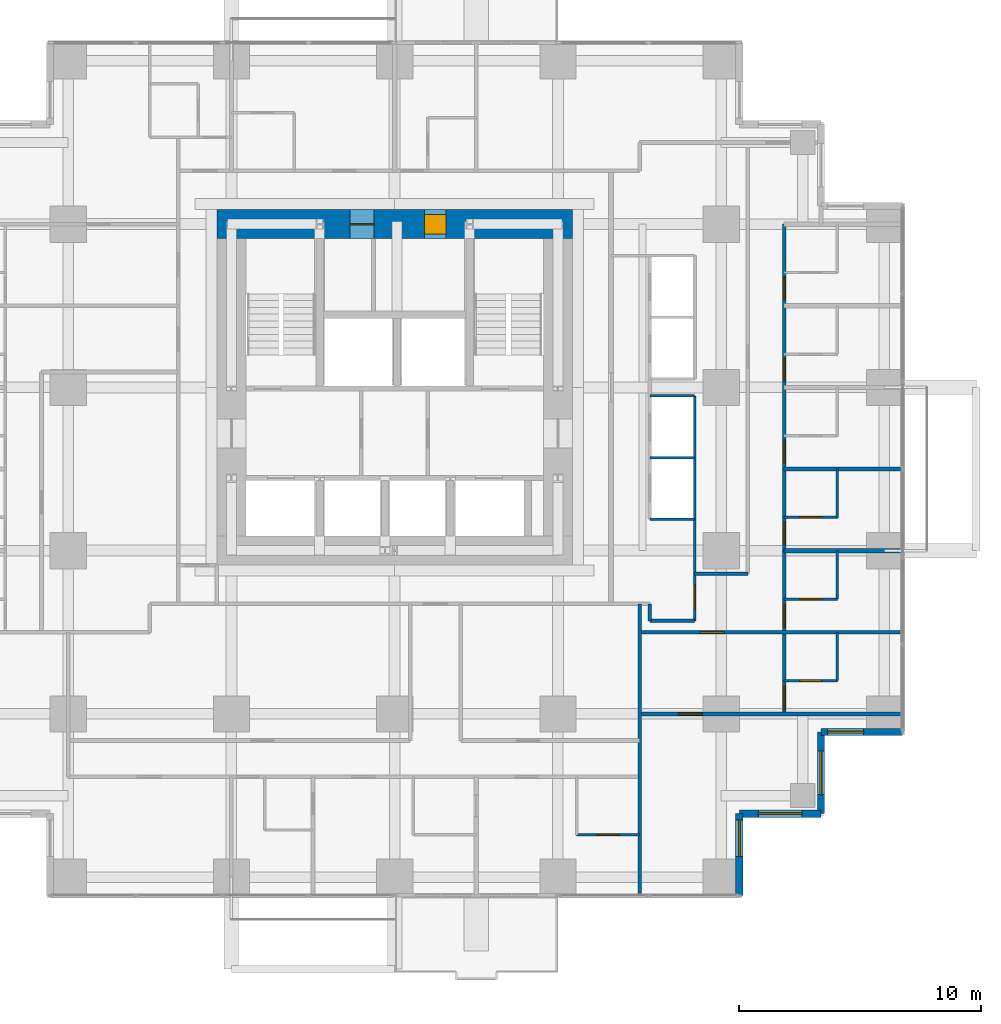
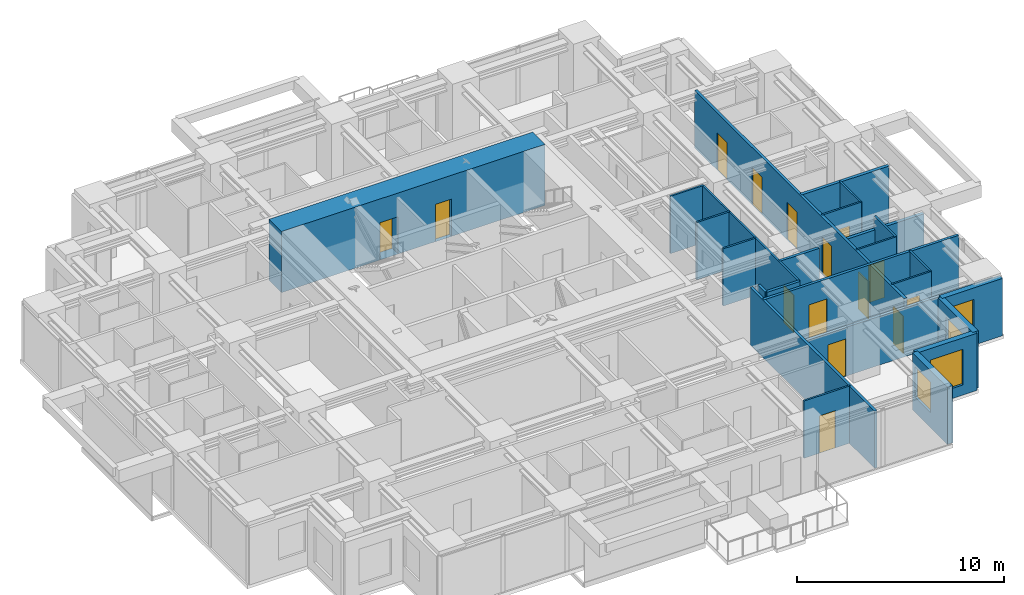
# One storey, part 9 of 12: 25 walls, 15 doors, 4 windows, 19 openings.
"""IFC4 building model written with IfcOpenShell, lengths in metres."""

from ifc_helpers import new_model, si_unit, direction, frame, frame_2d, origin, place, context, subcontext, project, spatial, rectangle, extrude, material, layer, layer_set, type_object, element, fill, save


model = new_model("IFC4")

# Units and contexts
model_context = context("Model", 3, precision=1e-05, world=origin(), true_north=direction((0.0, 1.0)))
body_context = subcontext(model_context, "Body", "Model", "MODEL_VIEW")
ifc_project = project(units=[si_unit("LENGTHUNIT", "METRE"), si_unit("AREAUNIT", "SQUARE_METRE"), si_unit("VOLUMEUNIT", "CUBIC_METRE"), si_unit("PLANEANGLEUNIT", "RADIAN"), si_unit("MASSUNIT", "GRAM", prefix="KILO")], contexts=[model_context])

# Site, building, storey
site_placement = place(None, origin())
site = spatial("IfcSite", under=ifc_project, at=site_placement, CompositionType="ELEMENT")
building_placement = place(site_placement, origin())
building = spatial("IfcBuilding", under=site, at=building_placement, Name="Nyansa Garden Tower", CompositionType="ELEMENT")
storey_placement = place(building_placement, frame((0.0, 0.0, 126.89990234375)))
storey = spatial("IfcBuildingStorey", under=building, at=storey_placement, Name="L34", CompositionType="ELEMENT", Elevation=126.89990234375)

# Walls
ifc_material_1 = material(Name="Dense blockwork, plastered both sides, 55 dB", Category="masonry")
ifc_layer_1 = layer(ifc_material_1, 0.175048828125)
ifc_layer_set_1 = layer_set([ifc_layer_1], Name="Acoustic party wall PW175")
wall_type_1 = type_object("IfcWallType", Name="Acoustic party wall PW175", PredefinedType="PARTITIONING", material=ifc_layer_set_1)
wall_1_placement = place(storey_placement, frame((36.35009765625, 13.5, 0.0), z_axis=(0.0, 0.0, 1.0), x_axis=(1.0, 0.0, 0.0)))
element("IfcWall", 1, at=wall_1_placement, inside=storey, type_object=wall_type_1, Name="Party wall", PredefinedType="PARTITIONING", context=body_context, shape_type="SweptSolid", body=[
    extrude(rectangle(XDim=4.8837890625, YDim=0.175048828125, at=frame_2d((2.44189453125, 0.0))), origin(), (0.0, 0.0, 1.0), 2.610107421875),
])
wall_2_placement = place(storey_placement, frame((36.35009765625, 16.875, 0.0), z_axis=(0.0, 0.0, 1.0), x_axis=(1.0, 0.0, 0.0)))
element("IfcWall", 2, at=wall_2_placement, inside=storey, type_object=wall_type_1, Name="Party wall", PredefinedType="PARTITIONING", context=body_context, shape_type="SweptSolid", body=[
    extrude(rectangle(XDim=4.8837890625, YDim=0.175048828125, at=frame_2d((2.44189453125, 0.0))), origin(), (0.0, 0.0, 1.0), 3.375),
])

# Wall, openings, doors
ifc_material_2 = material(Name="Concrete C80/95", Category="concrete")
ifc_layer_2 = layer(ifc_material_2, 1.199951171875)
ifc_layer_set_2 = layer_set([ifc_layer_2], Name="Core wall CW1200")
wall_type_2 = type_object("IfcWallType", Name="Core wall CW1200", PredefinedType="SHEAR", material=ifc_layer_set_2)
wall_3_placement = place(storey_placement, frame((27.60009765625, 27.0, 0.0), z_axis=(0.0, 0.0, 1.0), x_axis=(-1.0, 0.0, 0.0)))
wall_3 = element("IfcWall", 3, at=wall_3_placement, inside=storey, type_object=wall_type_2, Name="Core wall N L34", PredefinedType="SHEAR", context=body_context, shape_type="SweptSolid", body=[
    extrude(rectangle(XDim=14.7001953125, YDim=1.199951171875, at=frame_2d((7.35009765625, 0.0))), origin(), (0.0, 0.0, 1.0), 3.60009765625),
])
opening_1_placement = place(wall_3_placement, frame((5.22509765625, 0.0, 0.0)))
opening_1 = element("IfcOpeningElement", 4, at=opening_1_placement, cuts=wall_3, Name="Opening D15", PredefinedType="OPENING", context=body_context, shape_type="SweptSolid", body=[
    extrude(rectangle(XDim=0.89990234375, YDim=2.199951171875, at=frame_2d((0.449951171875, 1.10009765625))), frame((0.0, 0.60986328125, 0.0), z_axis=(0.0, -1.0, 0.0), x_axis=(1.0, 0.0, 0.0)), (0.0, 0.0, 1.0), 1.219970703125),
])
opening_2_placement = place(wall_3_placement, frame((8.199951171875, 0.0, 0.0)))
opening_2 = element("IfcOpeningElement", 5, at=opening_2_placement, cuts=wall_3, Name="Opening D07", PredefinedType="OPENING", context=body_context, shape_type="SweptSolid", body=[
    extrude(rectangle(XDim=1.0, YDim=2.199951171875, at=frame_2d((0.5, 1.10009765625))), frame((0.0, 0.60986328125, 0.0), z_axis=(0.0, -1.0, 0.0), x_axis=(1.0, 0.0, 0.0)), (0.0, 0.0, 1.0), 1.219970703125),
])
ifc_material_3 = material(Name="Timber flush door, 60 minute fire resisting, self-closing", Category="wood")
door_type_1 = type_object("IfcDoorType", Name="Core room door D15 900x2200", OperationType="SINGLE_SWING_LEFT", PredefinedType="DOOR", material=ifc_material_3)
door_1_placement = place(opening_1_placement, origin())
door_1 = element("IfcDoor", 6, at=door_1_placement, inside=storey, type_object=door_type_1, Name="Core room door", OperationType="SINGLE_SWING_LEFT", OverallHeight=2.199951171875, OverallWidth=0.89990234375, PredefinedType="DOOR", context=body_context, shape_type="SweptSolid", body=[
    extrude(rectangle(XDim=0.89990234375, YDim=2.199951171875, at=frame_2d((0.449951171875, 1.10009765625))), frame((0.0, 0.39990234375, 0.0), z_axis=(0.0, -1.0, 0.0), x_axis=(1.0, 0.0, 0.0)), (0.0, 0.0, 1.0), 0.800048828125),
])
fill(opening_1, door_1)
ifc_material_4 = material(Name="Steel door, 120 minute fire resisting", Category="steel")
door_type_2 = type_object("IfcDoorType", Name="Riser door D07 1000x2200", OperationType="SINGLE_SWING_LEFT", PredefinedType="DOOR", material=ifc_material_4)
door_2_placement = place(opening_2_placement, origin())
door_2 = element("IfcDoor", 7, at=door_2_placement, inside=storey, type_object=door_type_2, Name="Riser and refuse room door", OperationType="SINGLE_SWING_LEFT", OverallHeight=2.199951171875, OverallWidth=1.0, PredefinedType="DOOR", context=body_context, shape_type="SweptSolid", body=[
    extrude(rectangle(XDim=1.0, YDim=2.199951171875, at=frame_2d((0.5, 1.10009765625))), frame((0.0, 0.02490234375, 0.0), z_axis=(0.0, -1.0, 0.0), x_axis=(1.0, 0.0, 0.0)), (0.0, 0.0, 1.0), 0.050048828125),
])
fill(opening_2, door_2)

# Walls
ifc_material_5 = material(Name="Steel-stud shaft wall, two layers fire-rated board, EI 120", Category="steel")
ifc_layer_3 = layer(ifc_material_5, 0.10009765625)
ifc_layer_set_3 = layer_set([ifc_layer_3], Name="Lift shaft wall SW100")
wall_type_3 = type_object("IfcWallType", Name="Lift shaft wall SW100", PredefinedType="SHEAR", material=ifc_layer_set_3)
for number, where, z_axis, x_axis, name in (
    (8, (30.800048828125, 14.800048828125, 0.0), (0.0, 0.0, 1.0), (1.0, 0.0, 0.0), "Lift shaft wall"),
    (9, (30.800048828125, 17.35009765625, 0.0), (0.0, 0.0, 1.0), (1.0, 0.0, 0.0), "Lift shaft wall"),
    (10, (30.800048828125, 19.89990234375, 0.0), (0.0, 0.0, 1.0), (1.0, 0.0, 0.0), "Lift shaft wall"),
):
    element("IfcWall", number, at=place(storey_placement, frame(where, z_axis=z_axis, x_axis=x_axis)), inside=storey, type_object=wall_type_3, Name=name, PredefinedType="SHEAR", context=body_context, shape_type="SweptSolid", body=[
        extrude(rectangle(XDim=1.849853515625, YDim=0.10009765625, at=frame_2d((0.9248046875, 0.0))), origin(), (0.0, 0.0, 1.0), 3.375),
    ])

# Wall, opening, door
wall_4_placement = place(storey_placement, frame((32.64990234375, 10.60009765625, 0.0), z_axis=(0.0, 0.0, 1.0), x_axis=(0.0, 1.0, 0.0)))
wall_4 = element("IfcWall", 11, at=wall_4_placement, inside=storey, type_object=wall_type_3, Name="Lift shaft wall", PredefinedType="SHEAR", context=body_context, shape_type="SweptSolid", body=[
    extrude(rectangle(XDim=9.2998046875, YDim=0.10009765625, at=frame_2d((4.64990234375, 0.0))), origin(), (0.0, 0.0, 1.0), 3.375),
])
opening_3_placement = place(wall_4_placement, frame((0.5, 0.0, 0.0)))
opening_3 = element("IfcOpeningElement", 12, at=opening_3_placement, cuts=wall_4, Name="Opening D03", PredefinedType="OPENING", context=body_context, shape_type="SweptSolid", body=[
    extrude(rectangle(XDim=1.0, YDim=2.199951171875, at=frame_2d((0.5, 1.10009765625))), frame((0.0, 0.06005859375, 0.0), z_axis=(0.0, -1.0, 0.0), x_axis=(1.0, 0.0, 0.0)), (0.0, 0.0, 1.0), 0.1201171875),
])
ifc_material_6 = material(Name="Timber flush door, 60 minute fire resisting", Category="wood")
door_type_3 = type_object("IfcDoorType", Name="Cluster entrance door D03 1000x2200", OperationType="SINGLE_SWING_LEFT", PredefinedType="DOOR", material=ifc_material_6)
door_3_placement = place(opening_3_placement, origin())
door_3 = element("IfcDoor", 13, at=door_3_placement, inside=storey, type_object=door_type_3, Name="Door L34-041", OperationType="SINGLE_SWING_LEFT", OverallHeight=2.199951171875, OverallWidth=1.0, PredefinedType="DOOR", context=body_context, shape_type="SweptSolid", body=[
    extrude(rectangle(XDim=1.0, YDim=2.199951171875, at=frame_2d((0.5, 1.10009765625))), frame((0.0, 0.02490234375, 0.0), z_axis=(0.0, -1.0, 0.0), x_axis=(1.0, 0.0, 0.0)), (0.0, 0.0, 1.0), 0.050048828125),
])
fill(opening_3, door_3)

# Wall
ifc_material_7 = material(Name="Blockwork, plastered both sides", Category="masonry")
ifc_layer_4 = layer(ifc_material_7, 0.14990234375)
ifc_layer_set_4 = layer_set([ifc_layer_4], Name="Partition PW150")
wall_type_4 = type_object("IfcWallType", Name="Partition PW150", PredefinedType="PARTITIONING", material=ifc_layer_set_4)
wall_5_placement = place(storey_placement, frame((30.375, -0.73388671875, 0.0), z_axis=(0.0, 0.0, 1.0), x_axis=(0.0, 1.0, 0.0)))
element("IfcWall", 14, at=wall_5_placement, inside=storey, type_object=wall_type_4, Name="Partition", PredefinedType="PARTITIONING", context=body_context, shape_type="SweptSolid", body=[
    extrude(rectangle(XDim=12.033935546875, YDim=0.14990234375, at=frame_2d((6.01708984375, 0.0))), origin(), (0.0, 0.0, 1.0), 3.375),
])

# Wall, opening, door
wall_6_placement = place(storey_placement, frame((30.375, 6.75, 0.0), z_axis=(0.0, 0.0, 1.0), x_axis=(1.0, 0.0, 0.0)))
wall_6 = element("IfcWall", 15, at=wall_6_placement, inside=storey, type_object=wall_type_4, Name="Partition", PredefinedType="PARTITIONING", context=body_context, shape_type="SweptSolid", body=[
    extrude(rectangle(XDim=10.85888671875, YDim=0.14990234375, at=frame_2d((5.429443359375, 0.0))), origin(), (0.0, 0.0, 1.0), 2.877197265625),
])
opening_4_placement = place(wall_6_placement, frame((1.60009765625, 0.0, 0.0)))
opening_4 = element("IfcOpeningElement", 16, at=opening_4_placement, cuts=wall_6, Name="Opening D03", PredefinedType="OPENING", context=body_context, shape_type="SweptSolid", body=[
    extrude(rectangle(XDim=1.0, YDim=2.199951171875, at=frame_2d((0.5, 1.10009765625))), frame((0.0, 0.0849609375, 0.0), z_axis=(0.0, -1.0, 0.0), x_axis=(1.0, 0.0, 0.0)), (0.0, 0.0, 1.0), 0.169921875),
])
door_4_placement = place(opening_4_placement, origin())
door_4 = element("IfcDoor", 17, at=door_4_placement, inside=storey, type_object=door_type_3, Name="Door L34-027", OperationType="SINGLE_SWING_LEFT", OverallHeight=2.199951171875, OverallWidth=1.0, PredefinedType="DOOR", context=body_context, shape_type="SweptSolid", body=[
    extrude(rectangle(XDim=1.0, YDim=2.199951171875, at=frame_2d((0.5, 1.10009765625))), frame((0.0, 0.02490234375, 0.0), z_axis=(0.0, -1.0, 0.0), x_axis=(1.0, 0.0, 0.0)), (0.0, 0.0, 1.0), 0.050048828125),
])
fill(opening_4, door_4)

wall_7_placement = place(storey_placement, frame((30.375, 10.125, 0.0), z_axis=(0.0, 0.0, 1.0), x_axis=(1.0, 0.0, 0.0)))
wall_7 = element("IfcWall", 18, at=wall_7_placement, inside=storey, type_object=wall_type_4, Name="Partition", PredefinedType="PARTITIONING", context=body_context, shape_type="SweptSolid", body=[
    extrude(rectangle(XDim=10.85888671875, YDim=0.14990234375, at=frame_2d((5.429443359375, 0.0))), origin(), (0.0, 0.0, 1.0), 3.375),
])
opening_5_placement = place(wall_7_placement, frame((2.5, 0.0, 0.0)))
opening_5 = element("IfcOpeningElement", 19, at=opening_5_placement, cuts=wall_7, Name="Opening D03", PredefinedType="OPENING", context=body_context, shape_type="SweptSolid", body=[
    extrude(rectangle(XDim=1.0, YDim=2.199951171875, at=frame_2d((0.5, 1.10009765625))), frame((0.0, 0.0849609375, 0.0), z_axis=(0.0, -1.0, 0.0), x_axis=(1.0, 0.0, 0.0)), (0.0, 0.0, 1.0), 0.169921875),
])
door_5_placement = place(opening_5_placement, origin())
door_5 = element("IfcDoor", 20, at=door_5_placement, inside=storey, type_object=door_type_3, Name="Door L34-030", OperationType="SINGLE_SWING_LEFT", OverallHeight=2.199951171875, OverallWidth=1.0, PredefinedType="DOOR", context=body_context, shape_type="SweptSolid", body=[
    extrude(rectangle(XDim=1.0, YDim=2.199951171875, at=frame_2d((0.5, 1.10009765625))), frame((0.0, 0.02490234375, 0.0), z_axis=(0.0, -1.0, 0.0), x_axis=(1.0, 0.0, 0.0)), (0.0, 0.0, 1.0), 0.050048828125),
])
fill(opening_5, door_5)

# Walls
wall_8_placement = place(storey_placement, frame((30.800048828125, 10.60009765625, 0.0), z_axis=(0.0, 0.0, 1.0), x_axis=(0.0, 1.0, 0.0)))
element("IfcWall", 21, at=wall_8_placement, inside=storey, type_object=wall_type_4, Name="Partition", PredefinedType="PARTITIONING", context=body_context, shape_type="SweptSolid", body=[
    extrude(rectangle(XDim=0.699951171875, YDim=0.14990234375, at=frame_2d((0.35009765625, 0.0))), origin(), (0.0, 0.0, 1.0), 3.375),
])
wall_9_placement = place(storey_placement, frame((30.800048828125, 10.60009765625, 0.0), z_axis=(0.0, 0.0, 1.0), x_axis=(1.0, 0.0, 0.0)))
element("IfcWall", 22, at=wall_9_placement, inside=storey, type_object=wall_type_4, Name="Partition", PredefinedType="PARTITIONING", context=body_context, shape_type="SweptSolid", body=[
    extrude(rectangle(XDim=1.849853515625, YDim=0.14990234375, at=frame_2d((0.9248046875, 0.0))), origin(), (0.0, 0.0, 1.0), 3.375),
])
wall_10_placement = place(storey_placement, frame((32.64990234375, 12.550048828125, 0.0), z_axis=(0.0, 0.0, 1.0), x_axis=(1.0, 0.0, 0.0)))
element("IfcWall", 23, at=wall_10_placement, inside=storey, type_object=wall_type_4, Name="Partition", PredefinedType="PARTITIONING", context=body_context, shape_type="SweptSolid", body=[
    extrude(rectangle(XDim=2.2001953125, YDim=0.14990234375, at=frame_2d((1.10009765625, 0.0))), origin(), (0.0, 0.0, 1.0), 3.375),
])

# Wall, openings, doors
wall_11_placement = place(storey_placement, frame((36.35009765625, 6.75, 0.0), z_axis=(0.0, 0.0, 1.0), x_axis=(0.0, 1.0, 0.0)))
wall_11 = element("IfcWall", 24, at=wall_11_placement, inside=storey, type_object=wall_type_4, Name="Partition", PredefinedType="PARTITIONING", context=body_context, shape_type="SweptSolid", body=[
    extrude(rectangle(XDim=20.25, YDim=0.14990234375, at=frame_2d((10.125, 0.0))), origin(), (0.0, 0.0, 1.0), 3.375),
])
opening_6_placement = place(wall_11_placement, frame((0.199951171875, 0.0, 0.0)))
opening_6 = element("IfcOpeningElement", 25, at=opening_6_placement, cuts=wall_11, Name="Opening D01", PredefinedType="OPENING", context=body_context, shape_type="SweptSolid", body=[
    extrude(rectangle(XDim=0.949951171875, YDim=2.199951171875, at=frame_2d((0.47509765625, 1.10009765625))), frame((0.0, 0.0849609375, 0.0), z_axis=(0.0, -1.0, 0.0), x_axis=(1.0, 0.0, 0.0)), (0.0, 0.0, 1.0), 0.169921875),
])
opening_7_placement = place(wall_11_placement, frame((3.574951171875, 0.0, 0.0)))
opening_7 = element("IfcOpeningElement", 26, at=opening_7_placement, cuts=wall_11, Name="Opening D14", PredefinedType="OPENING", context=body_context, shape_type="SweptSolid", body=[
    extrude(rectangle(XDim=0.949951171875, YDim=2.199951171875, at=frame_2d((0.47509765625, 1.10009765625))), frame((0.0, 0.0849609375, 0.0), z_axis=(0.0, -1.0, 0.0), x_axis=(1.0, 0.0, 0.0)), (0.0, 0.0, 1.0), 0.169921875),
])
opening_8_placement = place(wall_11_placement, frame((7.0, 0.0, 0.0)))
opening_8 = element("IfcOpeningElement", 27, at=opening_8_placement, cuts=wall_11, Name="Opening D14", PredefinedType="OPENING", context=body_context, shape_type="SweptSolid", body=[
    extrude(rectangle(XDim=0.949951171875, YDim=2.199951171875, at=frame_2d((0.47509765625, 1.10009765625))), frame((0.0, 0.0849609375, 0.0), z_axis=(0.0, -1.0, 0.0), x_axis=(1.0, 0.0, 0.0)), (0.0, 0.0, 1.0), 0.169921875),
])
opening_9_placement = place(wall_11_placement, frame((10.375, 0.0, 0.0)))
opening_9 = element("IfcOpeningElement", 28, at=opening_9_placement, cuts=wall_11, Name="Opening D14", PredefinedType="OPENING", context=body_context, shape_type="SweptSolid", body=[
    extrude(rectangle(XDim=0.949951171875, YDim=2.199951171875, at=frame_2d((0.47509765625, 1.10009765625))), frame((0.0, 0.0849609375, 0.0), z_axis=(0.0, -1.0, 0.0), x_axis=(1.0, 0.0, 0.0)), (0.0, 0.0, 1.0), 0.169921875),
])
opening_10_placement = place(wall_11_placement, frame((13.75, 0.0, 0.0)))
opening_10 = element("IfcOpeningElement", 29, at=opening_10_placement, cuts=wall_11, Name="Opening D14", PredefinedType="OPENING", context=body_context, shape_type="SweptSolid", body=[
    extrude(rectangle(XDim=0.949951171875, YDim=2.199951171875, at=frame_2d((0.47509765625, 1.10009765625))), frame((0.0, 0.0849609375, 0.0), z_axis=(0.0, -1.0, 0.0), x_axis=(1.0, 0.0, 0.0)), (0.0, 0.0, 1.0), 0.169921875),
])
opening_11_placement = place(wall_11_placement, frame((17.125, 0.0, 0.0)))
opening_11 = element("IfcOpeningElement", 30, at=opening_11_placement, cuts=wall_11, Name="Opening D14", PredefinedType="OPENING", context=body_context, shape_type="SweptSolid", body=[
    extrude(rectangle(XDim=0.949951171875, YDim=2.199951171875, at=frame_2d((0.47509765625, 1.10009765625))), frame((0.0, 0.0849609375, 0.0), z_axis=(0.0, -1.0, 0.0), x_axis=(1.0, 0.0, 0.0)), (0.0, 0.0, 1.0), 0.169921875),
])
ifc_material_8 = material(Name="Timber flush door, 30 minute fire resisting", Category="wood")
door_type_4 = type_object("IfcDoorType", Name="Bedroom door D01 950x2200", OperationType="SINGLE_SWING_LEFT", PredefinedType="DOOR", material=ifc_material_8)
door_6_placement = place(opening_6_placement, origin())
door_6 = element("IfcDoor", 31, at=door_6_placement, inside=storey, type_object=door_type_4, Name="Door L34-028", OperationType="SINGLE_SWING_LEFT", OverallHeight=2.199951171875, OverallWidth=0.949951171875, PredefinedType="DOOR", context=body_context, shape_type="SweptSolid", body=[
    extrude(rectangle(XDim=0.949951171875, YDim=2.199951171875, at=frame_2d((0.47509765625, 1.10009765625))), frame((0.0, 0.02490234375, 0.0), z_axis=(0.0, -1.0, 0.0), x_axis=(1.0, 0.0, 0.0)), (0.0, 0.0, 1.0), 0.050048828125),
])
fill(opening_6, door_6)
ifc_material_9 = material(Name="Timber flush door, 60 minute fire resisting, self-closing", Category="wood")
door_type_5 = type_object("IfcDoorType", Name="Studio entrance door D14 950x2200", OperationType="SINGLE_SWING_LEFT", PredefinedType="DOOR", material=ifc_material_9)
door_7_placement = place(opening_7_placement, origin())
door_7 = element("IfcDoor", 32, at=door_7_placement, inside=storey, type_object=door_type_5, Name="Door L34-031", OperationType="SINGLE_SWING_LEFT", OverallHeight=2.199951171875, OverallWidth=0.949951171875, PredefinedType="DOOR", context=body_context, shape_type="SweptSolid", body=[
    extrude(rectangle(XDim=0.949951171875, YDim=2.199951171875, at=frame_2d((0.47509765625, 1.10009765625))), frame((0.0, 0.02490234375, 0.0), z_axis=(0.0, -1.0, 0.0), x_axis=(1.0, 0.0, 0.0)), (0.0, 0.0, 1.0), 0.050048828125),
])
fill(opening_7, door_7)
door_8_placement = place(opening_8_placement, origin())
door_8 = element("IfcDoor", 33, at=door_8_placement, inside=storey, type_object=door_type_5, Name="Door L34-033", OperationType="SINGLE_SWING_LEFT", OverallHeight=2.199951171875, OverallWidth=0.949951171875, PredefinedType="DOOR", context=body_context, shape_type="SweptSolid", body=[
    extrude(rectangle(XDim=0.949951171875, YDim=2.199951171875, at=frame_2d((0.47509765625, 1.10009765625))), frame((0.0, 0.02490234375, 0.0), z_axis=(0.0, -1.0, 0.0), x_axis=(1.0, 0.0, 0.0)), (0.0, 0.0, 1.0), 0.050048828125),
])
fill(opening_8, door_8)
door_9_placement = place(opening_9_placement, origin())
door_9 = element("IfcDoor", 34, at=door_9_placement, inside=storey, type_object=door_type_5, Name="Door L34-035", OperationType="SINGLE_SWING_LEFT", OverallHeight=2.199951171875, OverallWidth=0.949951171875, PredefinedType="DOOR", context=body_context, shape_type="SweptSolid", body=[
    extrude(rectangle(XDim=0.949951171875, YDim=2.199951171875, at=frame_2d((0.47509765625, 1.10009765625))), frame((0.0, 0.02490234375, 0.0), z_axis=(0.0, -1.0, 0.0), x_axis=(1.0, 0.0, 0.0)), (0.0, 0.0, 1.0), 0.050048828125),
])
fill(opening_9, door_9)
door_10_placement = place(opening_10_placement, origin())
door_10 = element("IfcDoor", 35, at=door_10_placement, inside=storey, type_object=door_type_5, Name="Door L34-037", OperationType="SINGLE_SWING_LEFT", OverallHeight=2.199951171875, OverallWidth=0.949951171875, PredefinedType="DOOR", context=body_context, shape_type="SweptSolid", body=[
    extrude(rectangle(XDim=0.949951171875, YDim=2.199951171875, at=frame_2d((0.47509765625, 1.10009765625))), frame((0.0, 0.02490234375, 0.0), z_axis=(0.0, -1.0, 0.0), x_axis=(1.0, 0.0, 0.0)), (0.0, 0.0, 1.0), 0.050048828125),
])
fill(opening_10, door_10)
door_11_placement = place(opening_11_placement, origin())
door_11 = element("IfcDoor", 36, at=door_11_placement, inside=storey, type_object=door_type_5, Name="Door L34-039", OperationType="SINGLE_SWING_LEFT", OverallHeight=2.199951171875, OverallWidth=0.949951171875, PredefinedType="DOOR", context=body_context, shape_type="SweptSolid", body=[
    extrude(rectangle(XDim=0.949951171875, YDim=2.199951171875, at=frame_2d((0.47509765625, 1.10009765625))), frame((0.0, 0.02490234375, 0.0), z_axis=(0.0, -1.0, 0.0), x_axis=(1.0, 0.0, 0.0)), (0.0, 0.0, 1.0), 0.050048828125),
])
fill(opening_11, door_11)

# Wall, opening, window
ifc_material_10 = material(Name="Turquoise glazed tile on concrete blockwork", Category="masonry")
ifc_layer_5 = layer(ifc_material_10, 0.300048828125)
ifc_layer_set_5 = layer_set([ifc_layer_5], Name="Tiled corner wall TW300")
wall_type_5 = type_object("IfcWallType", Name="Tiled corner wall TW300", PredefinedType="SOLIDWALL", material=ifc_layer_set_5)
wall_12_placement = place(storey_placement, frame((34.5, -0.75, 0.0), z_axis=(0.0, 0.0, 1.0), x_axis=(0.0, 1.0, 0.0)))
wall_12 = element("IfcWall", 37, at=wall_12_placement, inside=storey, type_object=wall_type_5, Name="Tiled corner wall L34", PredefinedType="SOLIDWALL", context=body_context, shape_type="SweptSolid", body=[
    extrude(rectangle(XDim=3.375, YDim=0.300048828125, at=frame_2d((1.6875, 0.0))), origin(), (0.0, 0.0, 1.0), 3.375),
])
opening_12_placement = place(wall_12_placement, frame((1.607421875, 0.0, 0.89990234375)))
opening_12 = element("IfcOpeningElement", 38, at=opening_12_placement, cuts=wall_12, Name="Opening W1", PredefinedType="OPENING", context=body_context, shape_type="SweptSolid", body=[
    extrude(rectangle(XDim=1.5, YDim=1.800048828125, at=frame_2d((0.75, 0.89990234375))), frame((0.0, 0.159912109375, 0.0), z_axis=(0.0, -1.0, 0.0), x_axis=(1.0, 0.0, 0.0)), (0.0, 0.0, 1.0), 0.320068359375),
])
ifc_material_11 = material(Name="Black aluminium frame, dark tinted double glazing", Category="aluminium")
window_type_1 = type_object("IfcWindowType", Name="Window W1 1500x1800", PartitioningType="SINGLE_PANEL", PredefinedType="WINDOW", material=ifc_material_11)
window_1_placement = place(opening_12_placement, origin())
window_1 = element("IfcWindow", 39, at=window_1_placement, inside=storey, type_object=window_type_1, Name="Corner window L34", OverallHeight=1.800048828125, OverallWidth=1.5, PartitioningType="SINGLE_PANEL", PredefinedType="WINDOW", context=body_context, shape_type="SweptSolid", body=[
    extrude(rectangle(XDim=1.5, YDim=1.800048828125, at=frame_2d((0.75, 0.89990234375))), frame((0.0, 0.030029296875, 0.0), z_axis=(0.0, -1.0, 0.0), x_axis=(1.0, 0.0, 0.0)), (0.0, 0.0, 1.0), 0.06005859375),
])
fill(opening_12, window_1)

wall_13_placement = place(storey_placement, frame((34.5, 2.625, 0.0), z_axis=(0.0, 0.0, 1.0), x_axis=(1.0, 0.0, 0.0)))
wall_13 = element("IfcWall", 40, at=wall_13_placement, inside=storey, type_object=wall_type_5, Name="Tiled corner wall L34", PredefinedType="SOLIDWALL", context=body_context, shape_type="SweptSolid", body=[
    extrude(rectangle(XDim=3.375, YDim=0.300048828125, at=frame_2d((1.6875, 0.0))), origin(), (0.0, 0.0, 1.0), 3.375),
])
opening_13_placement = place(wall_13_placement, frame((0.78759765625, 0.0, 0.60009765625)))
opening_13 = element("IfcOpeningElement", 41, at=opening_13_placement, cuts=wall_13, Name="Opening W2", PredefinedType="OPENING", context=body_context, shape_type="SweptSolid", body=[
    extrude(rectangle(XDim=1.800048828125, YDim=2.10009765625, at=frame_2d((0.89990234375, 1.050048828125))), frame((0.0, 0.159912109375, 0.0), z_axis=(0.0, -1.0, 0.0), x_axis=(1.0, 0.0, 0.0)), (0.0, 0.0, 1.0), 0.320068359375),
])
ifc_material_12 = material(Name="Black aluminium frame, dark tinted double glazing", Category="aluminium")
window_type_2 = type_object("IfcWindowType", Name="Window W2 1800x2100", PartitioningType="SINGLE_PANEL", PredefinedType="WINDOW", material=ifc_material_12)
window_2_placement = place(opening_13_placement, origin())
window_2 = element("IfcWindow", 42, at=window_2_placement, inside=storey, type_object=window_type_2, Name="Corner window L34", OverallHeight=2.10009765625, OverallWidth=1.800048828125, PartitioningType="SINGLE_PANEL", PredefinedType="WINDOW", context=body_context, shape_type="SweptSolid", body=[
    extrude(rectangle(XDim=1.800048828125, YDim=2.10009765625, at=frame_2d((0.89990234375, 1.050048828125))), frame((0.0, 0.030029296875, 0.0), z_axis=(0.0, -1.0, 0.0), x_axis=(1.0, 0.0, 0.0)), (0.0, 0.0, 1.0), 0.06005859375),
])
fill(opening_13, window_2)

wall_14_placement = place(storey_placement, frame((37.875, 2.625, 0.0), z_axis=(0.0, 0.0, 1.0), x_axis=(0.0, 1.0, 0.0)))
wall_14 = element("IfcWall", 43, at=wall_14_placement, inside=storey, type_object=wall_type_5, Name="Tiled corner wall L34", PredefinedType="SOLIDWALL", context=body_context, shape_type="SweptSolid", body=[
    extrude(rectangle(XDim=3.375, YDim=0.300048828125, at=frame_2d((1.6875, 0.0))), origin(), (0.0, 0.0, 1.0), 3.375),
])
opening_14_placement = place(wall_14_placement, frame((0.78759765625, 0.0, 0.60009765625)))
opening_14 = element("IfcOpeningElement", 44, at=opening_14_placement, cuts=wall_14, Name="Opening W2", PredefinedType="OPENING", context=body_context, shape_type="SweptSolid", body=[
    extrude(rectangle(XDim=1.800048828125, YDim=2.10009765625, at=frame_2d((0.89990234375, 1.050048828125))), frame((0.0, 0.159912109375, 0.0), z_axis=(0.0, -1.0, 0.0), x_axis=(1.0, 0.0, 0.0)), (0.0, 0.0, 1.0), 0.320068359375),
])
window_3_placement = place(opening_14_placement, origin())
window_3 = element("IfcWindow", 45, at=window_3_placement, inside=storey, type_object=window_type_2, Name="Corner window L34", OverallHeight=2.10009765625, OverallWidth=1.800048828125, PartitioningType="SINGLE_PANEL", PredefinedType="WINDOW", context=body_context, shape_type="SweptSolid", body=[
    extrude(rectangle(XDim=1.800048828125, YDim=2.10009765625, at=frame_2d((0.89990234375, 1.050048828125))), frame((0.0, 0.030029296875, 0.0), z_axis=(0.0, -1.0, 0.0), x_axis=(1.0, 0.0, 0.0)), (0.0, 0.0, 1.0), 0.06005859375),
])
fill(opening_14, window_3)

wall_15_placement = place(storey_placement, frame((37.875, 6.0, 0.0), z_axis=(0.0, 0.0, 1.0), x_axis=(1.0, 0.0, 0.0)))
wall_15 = element("IfcWall", 46, at=wall_15_placement, inside=storey, type_object=wall_type_5, Name="Tiled corner wall L34", PredefinedType="SOLIDWALL", context=body_context, shape_type="SweptSolid", body=[
    extrude(rectangle(XDim=3.375, YDim=0.300048828125, at=frame_2d((1.6875, 0.0))), origin(), (0.0, 0.0, 1.0), 3.375),
])
opening_15_placement = place(wall_15_placement, frame((0.267578125, 0.0, 0.89990234375)))
opening_15 = element("IfcOpeningElement", 47, at=opening_15_placement, cuts=wall_15, Name="Opening W1", PredefinedType="OPENING", context=body_context, shape_type="SweptSolid", body=[
    extrude(rectangle(XDim=1.5, YDim=1.800048828125, at=frame_2d((0.75, 0.89990234375))), frame((0.0, 0.159912109375, 0.0), z_axis=(0.0, -1.0, 0.0), x_axis=(1.0, 0.0, 0.0)), (0.0, 0.0, 1.0), 0.320068359375),
])
window_4_placement = place(opening_15_placement, origin())
window_4 = element("IfcWindow", 48, at=window_4_placement, inside=storey, type_object=window_type_1, Name="Corner window L34", OverallHeight=1.800048828125, OverallWidth=1.5, PartitioningType="SINGLE_PANEL", PredefinedType="WINDOW", context=body_context, shape_type="SweptSolid", body=[
    extrude(rectangle(XDim=1.5, YDim=1.800048828125, at=frame_2d((0.75, 0.89990234375))), frame((0.0, 0.030029296875, 0.0), z_axis=(0.0, -1.0, 0.0), x_axis=(1.0, 0.0, 0.0)), (0.0, 0.0, 1.0), 0.06005859375),
])
fill(opening_15, window_4)

# Wall, opening, door
ifc_material_13 = material(Name="Moisture resistant board on steel studs, tiled", Category="steel")
ifc_layer_6 = layer(ifc_material_13, 0.10009765625)
ifc_layer_set_6 = layer_set([ifc_layer_6], Name="Wet wall PW100")
wall_type_6 = type_object("IfcWallType", Name="Wet wall PW100", PredefinedType="PARTITIONING", material=ifc_layer_set_6)
wall_16_placement = place(storey_placement, frame((27.77490234375, 1.75, 0.0), z_axis=(0.0, 0.0, 1.0), x_axis=(1.0, 0.0, 0.0)))
wall_16 = element("IfcWall", 49, at=wall_16_placement, inside=storey, type_object=wall_type_6, Name="Wet wall", PredefinedType="PARTITIONING", context=body_context, shape_type="SweptSolid", body=[
    extrude(rectangle(XDim=2.60009765625, YDim=0.10009765625, at=frame_2d((1.300048828125, 0.0))), origin(), (0.0, 0.0, 1.0), 3.375),
])
opening_16_placement = place(wall_16_placement, frame((0.85009765625, 0.0, 0.0)))
opening_16 = element("IfcOpeningElement", 50, at=opening_16_placement, cuts=wall_16, Name="Opening D02", PredefinedType="OPENING", context=body_context, shape_type="SweptSolid", body=[
    extrude(rectangle(XDim=0.89990234375, YDim=2.199951171875, at=frame_2d((0.449951171875, 1.10009765625))), frame((0.0, 0.06005859375, 0.0), z_axis=(0.0, -1.0, 0.0), x_axis=(1.0, 0.0, 0.0)), (0.0, 0.0, 1.0), 0.1201171875),
])
ifc_material_14 = material(Name="Timber flush door", Category="wood")
door_type_6 = type_object("IfcDoorType", Name="En-suite door D02 900x2200", OperationType="SINGLE_SWING_RIGHT", PredefinedType="DOOR", material=ifc_material_14)
door_12_placement = place(opening_16_placement, origin())
door_12 = element("IfcDoor", 51, at=door_12_placement, inside=storey, type_object=door_type_6, Name="Door L34-019", OperationType="SINGLE_SWING_RIGHT", OverallHeight=2.199951171875, OverallWidth=0.89990234375, PredefinedType="DOOR", context=body_context, shape_type="SweptSolid", body=[
    extrude(rectangle(XDim=0.89990234375, YDim=2.199951171875, at=frame_2d((0.449951171875, 1.10009765625))), frame((0.0, 0.02490234375, 0.0), z_axis=(0.0, -1.0, 0.0), x_axis=(1.0, 0.0, 0.0)), (0.0, 0.0, 1.0), 0.050048828125),
])
fill(opening_16, door_12)

wall_17_placement = place(storey_placement, frame((36.35009765625, 8.125, 0.0), z_axis=(0.0, 0.0, 1.0), x_axis=(1.0, 0.0, 0.0)))
wall_17 = element("IfcWall", 52, at=wall_17_placement, inside=storey, type_object=wall_type_6, Name="Wet wall", PredefinedType="PARTITIONING", context=body_context, shape_type="SweptSolid", body=[
    extrude(rectangle(XDim=2.199951171875, YDim=0.10009765625, at=frame_2d((1.10009765625, 0.0))), origin(), (0.0, 0.0, 1.0), 3.375),
])
opening_17_placement = place(wall_17_placement, frame((0.64990234375, 0.0, 0.0)))
opening_17 = element("IfcOpeningElement", 53, at=opening_17_placement, cuts=wall_17, Name="Opening D02", PredefinedType="OPENING", context=body_context, shape_type="SweptSolid", body=[
    extrude(rectangle(XDim=0.89990234375, YDim=2.199951171875, at=frame_2d((0.449951171875, 1.10009765625))), frame((0.0, 0.06005859375, 0.0), z_axis=(0.0, -1.0, 0.0), x_axis=(1.0, 0.0, 0.0)), (0.0, 0.0, 1.0), 0.1201171875),
])
door_13_placement = place(opening_17_placement, origin())
door_13 = element("IfcDoor", 54, at=door_13_placement, inside=storey, type_object=door_type_6, Name="Door L34-029", OperationType="SINGLE_SWING_RIGHT", OverallHeight=2.199951171875, OverallWidth=0.89990234375, PredefinedType="DOOR", context=body_context, shape_type="SweptSolid", body=[
    extrude(rectangle(XDim=0.89990234375, YDim=2.199951171875, at=frame_2d((0.449951171875, 1.10009765625))), frame((0.0, 0.02490234375, 0.0), z_axis=(0.0, -1.0, 0.0), x_axis=(1.0, 0.0, 0.0)), (0.0, 0.0, 1.0), 0.050048828125),
])
fill(opening_17, door_13)

wall_18_placement = place(storey_placement, frame((36.35009765625, 11.5, 0.0), z_axis=(0.0, 0.0, 1.0), x_axis=(1.0, 0.0, 0.0)))
wall_18 = element("IfcWall", 55, at=wall_18_placement, inside=storey, type_object=wall_type_6, Name="Wet wall", PredefinedType="PARTITIONING", context=body_context, shape_type="SweptSolid", body=[
    extrude(rectangle(XDim=2.199951171875, YDim=0.10009765625, at=frame_2d((1.10009765625, 0.0))), origin(), (0.0, 0.0, 1.0), 3.375),
])
opening_18_placement = place(wall_18_placement, frame((0.64990234375, 0.0, 0.0)))
opening_18 = element("IfcOpeningElement", 56, at=opening_18_placement, cuts=wall_18, Name="Opening D02", PredefinedType="OPENING", context=body_context, shape_type="SweptSolid", body=[
    extrude(rectangle(XDim=0.89990234375, YDim=2.199951171875, at=frame_2d((0.449951171875, 1.10009765625))), frame((0.0, 0.06005859375, 0.0), z_axis=(0.0, -1.0, 0.0), x_axis=(1.0, 0.0, 0.0)), (0.0, 0.0, 1.0), 0.1201171875),
])
door_14_placement = place(opening_18_placement, origin())
door_14 = element("IfcDoor", 57, at=door_14_placement, inside=storey, type_object=door_type_6, Name="Door L34-032", OperationType="SINGLE_SWING_RIGHT", OverallHeight=2.199951171875, OverallWidth=0.89990234375, PredefinedType="DOOR", context=body_context, shape_type="SweptSolid", body=[
    extrude(rectangle(XDim=0.89990234375, YDim=2.199951171875, at=frame_2d((0.449951171875, 1.10009765625))), frame((0.0, 0.02490234375, 0.0), z_axis=(0.0, -1.0, 0.0), x_axis=(1.0, 0.0, 0.0)), (0.0, 0.0, 1.0), 0.050048828125),
])
fill(opening_18, door_14)

wall_19_placement = place(storey_placement, frame((36.35009765625, 14.875, 0.0), z_axis=(0.0, 0.0, 1.0), x_axis=(1.0, 0.0, 0.0)))
wall_19 = element("IfcWall", 58, at=wall_19_placement, inside=storey, type_object=wall_type_6, Name="Wet wall", PredefinedType="PARTITIONING", context=body_context, shape_type="SweptSolid", body=[
    extrude(rectangle(XDim=2.199951171875, YDim=0.10009765625, at=frame_2d((1.10009765625, 0.0))), origin(), (0.0, 0.0, 1.0), 3.375),
])
opening_19_placement = place(wall_19_placement, frame((0.64990234375, 0.0, 0.0)))
opening_19 = element("IfcOpeningElement", 59, at=opening_19_placement, cuts=wall_19, Name="Opening D02", PredefinedType="OPENING", context=body_context, shape_type="SweptSolid", body=[
    extrude(rectangle(XDim=0.89990234375, YDim=2.199951171875, at=frame_2d((0.449951171875, 1.10009765625))), frame((0.0, 0.06005859375, 0.0), z_axis=(0.0, -1.0, 0.0), x_axis=(1.0, 0.0, 0.0)), (0.0, 0.0, 1.0), 0.1201171875),
])
door_15_placement = place(opening_19_placement, origin())
door_15 = element("IfcDoor", 60, at=door_15_placement, inside=storey, type_object=door_type_6, Name="Door L34-034", OperationType="SINGLE_SWING_RIGHT", OverallHeight=2.199951171875, OverallWidth=0.89990234375, PredefinedType="DOOR", context=body_context, shape_type="SweptSolid", body=[
    extrude(rectangle(XDim=0.89990234375, YDim=2.199951171875, at=frame_2d((0.449951171875, 1.10009765625))), frame((0.0, 0.02490234375, 0.0), z_axis=(0.0, -1.0, 0.0), x_axis=(1.0, 0.0, 0.0)), (0.0, 0.0, 1.0), 0.050048828125),
])
fill(opening_19, door_15)

# Walls
for number, where, z_axis, x_axis, name in (
    (61, (38.550048828125, 8.125, 0.0), (0.0, 0.0, 1.0), (0.0, 1.0, 0.0), "Wet wall"),
    (62, (38.550048828125, 11.5, 0.0), (0.0, 0.0, 1.0), (0.0, 1.0, 0.0), "Wet wall"),
    (63, (38.550048828125, 14.875, 0.0), (0.0, 0.0, 1.0), (0.0, 1.0, 0.0), "Wet wall"),
):
    element("IfcWall", number, at=place(storey_placement, frame(where, z_axis=z_axis, x_axis=x_axis)), inside=storey, type_object=wall_type_6, Name=name, PredefinedType="PARTITIONING", context=body_context, shape_type="SweptSolid", body=[
        extrude(rectangle(XDim=2.0, YDim=0.10009765625, at=frame_2d((1.0, 0.0))), origin(), (0.0, 0.0, 1.0), 3.375),
    ])

save(model, "model.ifc")
